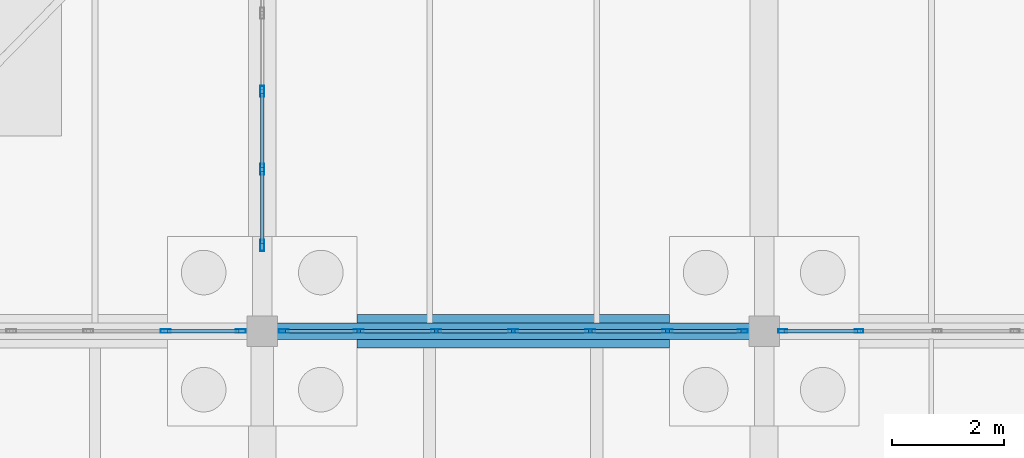
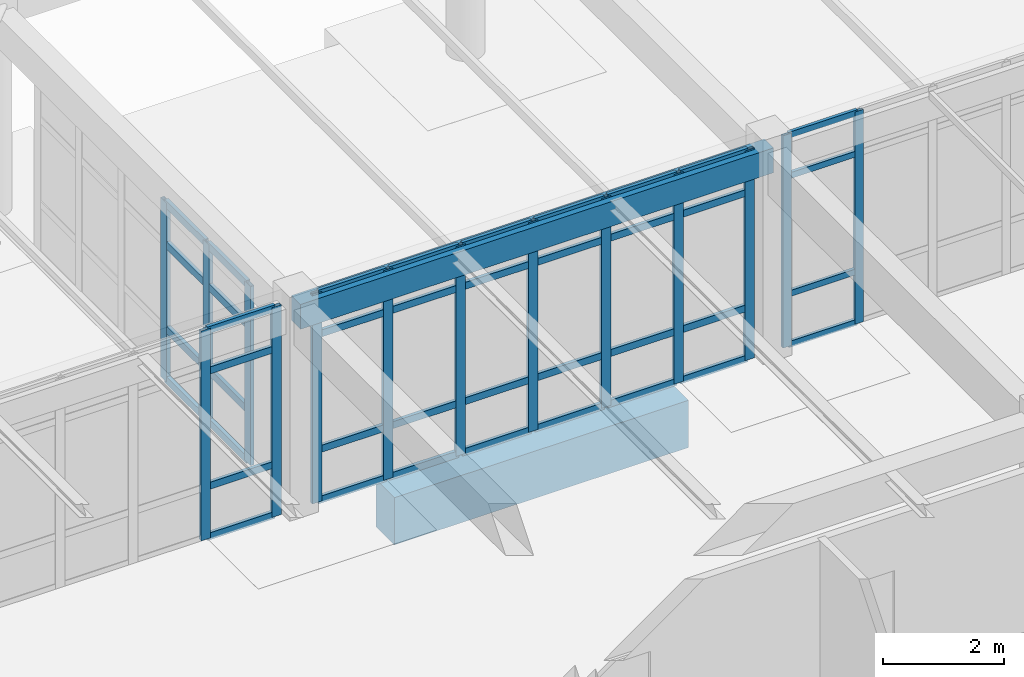
# One storey, part 67 of 186: 54 members, 2 beams, 4 elements without a shape of their own.
"""IFC4 building model written with IfcOpenShell, lengths in metres."""

from ifc_helpers import new_model, si_unit, direction, frame, origin, origin_2d, place, context, subcontext, project, spatial, rectangle, hollow_rectangle, extrude, material, layer, layer_set, material_profile, profile_set, type_object, element, aggregate, save


model = new_model("IFC4")

# Units and contexts
model_context = context("Model", 3, precision=1e-05, world=origin(), true_north=direction((0.0, 1.0)))
body_context = subcontext(model_context, "Body", "Model", "MODEL_VIEW")
ifc_project = project(units=[si_unit("LENGTHUNIT", "METRE"), si_unit("AREAUNIT", "SQUARE_METRE"), si_unit("VOLUMEUNIT", "CUBIC_METRE"), si_unit("PLANEANGLEUNIT", "RADIAN"), si_unit("MASSUNIT", "GRAM", prefix="KILO")], contexts=[model_context])

# Site, building, storey
site_placement = place(None, origin())
site = spatial("IfcSite", under=ifc_project, at=site_placement, CompositionType="ELEMENT")
building_placement = place(site_placement, origin())
building = spatial("IfcBuilding", under=site, at=building_placement, Name="Ornek Quay Market", CompositionType="ELEMENT")
storey_placement = place(building_placement, origin())
storey = spatial("IfcBuildingStorey", under=building, at=storey_placement, Name="L00", CompositionType="ELEMENT", Elevation=0.0)

# Beams
ifc_material_1 = material(Name="Concrete C35/45", Category="concrete")
ifc_material_profile_1 = material_profile(ifc_material_1, rectangle(XDim=0.60009765625, YDim=0.949951171875, at=origin_2d()), Name="RC 600x950", Category="concrete")
ifc_profile_set_1 = profile_set([ifc_material_profile_1], Name="Concrete C35/45")
beam_type_1 = type_object("IfcBeamType", Name="BM-GB-600x950", PredefinedType="BEAM", material=ifc_profile_set_1)
beam_1_placement = place(storey_placement, frame((19.699951171875, 110.0, -0.675048828125), z_axis=(1.0, 0.0, 0.0), x_axis=(0.0, 1.0, 0.0)))
element("IfcBeam", 1, at=beam_1_placement, inside=storey, type_object=beam_type_1, Name="Ground tie beam GB-044", PredefinedType="BEAM", context=body_context, shape_type="SweptSolid", body=[
    extrude(rectangle(XDim=0.60009765625, YDim=0.949951171875, at=origin_2d()), origin(), (0.0, 0.0, 1.0), 5.60009765625),
])
ifc_material_2 = material(Name="Concrete C40/50", Category="concrete")
ifc_material_profile_2 = material_profile(ifc_material_2, rectangle(XDim=0.300048828125, YDim=0.5, at=origin_2d()), Name="RC 300x500", Category="concrete")
ifc_profile_set_2 = profile_set([ifc_material_profile_2], Name="Concrete C40/50")
beam_type_2 = type_object("IfcBeamType", Name="BM-UMB-RIM-300x500", PredefinedType="SPANDREL", material=ifc_profile_set_2)
beam_2_placement = place(storey_placement, frame((18.0, 110.0, 3.93994140625), z_axis=(1.0, 0.0, 0.0), x_axis=(0.0, 1.0, 0.0)))
element("IfcBeam", 2, at=beam_2_placement, inside=storey, type_object=beam_type_2, Name="Primary beam B-UMR-003", PredefinedType="SPANDREL", context=body_context, shape_type="SweptSolid", body=[
    extrude(rectangle(XDim=0.300048828125, YDim=0.5, at=origin_2d()), origin(), (0.0, 0.0, 1.0), 9.0),
])

# Curtain wall, members
ifc_material_3 = material(Name="Anodised bronze aluminium and triple low-e glass", Category="aluminium")
ifc_layer_1 = layer(ifc_material_3, 0.179931640625, Name="Anodised bronze aluminium and triple low-e glass", Category="aluminium")
ifc_layer_set_1 = layer_set([ifc_layer_1], Name="Anodised bronze aluminium and triple low-e glass")
curtain_wall_type_1 = type_object("IfcCurtainWallType", Name="CW-CONC-MOD1500", PredefinedType="USERDEFINED", material=ifc_layer_set_1)
curtain_wall_1_placement = place(storey_placement, origin())
curtain_wall_1 = element("IfcCurtainWall", 3, at=curtain_wall_1_placement, inside=storey, type_object=curtain_wall_type_1, Name="Curtain wall CW-005", ObjectType="CURTAIN WALL", PredefinedType="USERDEFINED")
ifc_material_4 = material(Name="Anodised aluminium 6063-T6", Category="aluminium")
ifc_material_profile_3 = material_profile(ifc_material_4, hollow_rectangle(XDim=0.06005859375, YDim=0.159912109375, WallThickness=0.00390625, at=origin_2d()), Name="CW-MUL-60x160", Category="aluminium")
ifc_profile_set_3 = profile_set([ifc_material_profile_3], Name="Anodised aluminium 6063-T6")
member_type_1 = type_object("IfcMemberType", Name="CW-MUL-60x160", PredefinedType="MULLION", material=ifc_profile_set_3)
member_1_placement = place(storey_placement, frame((27.330078125, 110.0, 0.0), z_axis=(0.0, 0.0, 1.0), x_axis=(0.0, 1.0, 0.0)))
member_1 = element("IfcMember", 4, at=member_1_placement, type_object=member_type_1, Name="CW-005 mullion 1", PredefinedType="MULLION", context=body_context, shape_type="SweptSolid", body=[
    extrude(hollow_rectangle(XDim=0.06005859375, YDim=0.159912109375, WallThickness=0.00390625, at=origin_2d()), origin(), (0.0, 0.0, 1.0), 4.27001953125),
])
member_2_placement = place(storey_placement, frame((28.699951171875, 110.0, 0.0), z_axis=(0.0, 0.0, 1.0), x_axis=(0.0, 1.0, 0.0)))
member_2 = element("IfcMember", 5, at=member_2_placement, type_object=member_type_1, Name="CW-005 mullion 2", PredefinedType="MULLION", context=body_context, shape_type="SweptSolid", body=[
    extrude(hollow_rectangle(XDim=0.06005859375, YDim=0.159912109375, WallThickness=0.00390625, at=origin_2d()), origin(), (0.0, 0.0, 1.0), 4.27001953125),
])

curtain_wall_2_placement = place(storey_placement, origin())
curtain_wall_2 = element("IfcCurtainWall", 6, at=curtain_wall_2_placement, inside=storey, type_object=curtain_wall_type_1, Name="Curtain wall CW-001", ObjectType="CURTAIN WALL", PredefinedType="USERDEFINED")
ifc_material_profile_4 = material_profile(ifc_material_4, hollow_rectangle(XDim=0.06494140625, YDim=0.179931640625, WallThickness=0.00439453125, at=origin_2d()), Name="CW-MUL-65x180", Category="aluminium")
ifc_profile_set_4 = profile_set([ifc_material_profile_4], Name="Anodised aluminium 6063-T6")
member_type_2 = type_object("IfcMemberType", Name="CW-MUL-65x180", PredefinedType="MULLION", material=ifc_profile_set_4)
member_3_placement = place(storey_placement, frame((16.2666015625, 110.0, 0.0), z_axis=(0.0, 0.0, 1.0), x_axis=(0.0, 1.0, 0.0)))
member_3 = element("IfcMember", 7, at=member_3_placement, type_object=member_type_2, Name="CW-001 mullion 6", PredefinedType="MULLION", context=body_context, shape_type="SweptSolid", body=[
    extrude(hollow_rectangle(XDim=0.06494140625, YDim=0.179931640625, WallThickness=0.00439453125, at=origin_2d()), origin(), (0.0, 0.0, 1.0), 4.219970703125),
])
member_4_placement = place(storey_placement, frame((17.617431640625, 110.0, 0.0), z_axis=(0.0, 0.0, 1.0), x_axis=(0.0, 1.0, 0.0)))
member_4 = element("IfcMember", 8, at=member_4_placement, type_object=member_type_2, Name="CW-001 mullion 7", PredefinedType="MULLION", context=body_context, shape_type="SweptSolid", body=[
    extrude(hollow_rectangle(XDim=0.06494140625, YDim=0.179931640625, WallThickness=0.00439453125, at=origin_2d()), origin(), (0.0, 0.0, 1.0), 4.219970703125),
])

curtain_wall_3_placement = place(storey_placement, origin())
curtain_wall_3 = element("IfcCurtainWall", 9, at=curtain_wall_3_placement, inside=storey, type_object=curtain_wall_type_1, Name="Curtain wall CW-002", ObjectType="CURTAIN WALL", PredefinedType="USERDEFINED")
member_5_placement = place(storey_placement, frame((18.382568359375, 110.0, 0.0), z_axis=(0.0, 0.0, 1.0), x_axis=(0.0, 1.0, 0.0)))
member_5 = element("IfcMember", 10, at=member_5_placement, type_object=member_type_2, Name="CW-002 mullion 1", PredefinedType="MULLION", context=body_context, shape_type="SweptSolid", body=[
    extrude(hollow_rectangle(XDim=0.06494140625, YDim=0.179931640625, WallThickness=0.00439453125, at=origin_2d()), origin(), (0.0, 0.0, 1.0), 4.219970703125),
])
member_6_placement = place(storey_placement, frame((19.7333984375, 110.0, 0.0), z_axis=(0.0, 0.0, 1.0), x_axis=(0.0, 1.0, 0.0)))
member_6 = element("IfcMember", 11, at=member_6_placement, type_object=member_type_2, Name="CW-002 mullion 2", PredefinedType="MULLION", context=body_context, shape_type="SweptSolid", body=[
    extrude(hollow_rectangle(XDim=0.06494140625, YDim=0.179931640625, WallThickness=0.00439453125, at=origin_2d()), origin(), (0.0, 0.0, 1.0), 4.219970703125),
])
member_7_placement = place(storey_placement, frame((21.11669921875, 110.0, 0.0), z_axis=(0.0, 0.0, 1.0), x_axis=(0.0, 1.0, 0.0)))
member_7 = element("IfcMember", 12, at=member_7_placement, type_object=member_type_2, Name="CW-002 mullion 3", PredefinedType="MULLION", context=body_context, shape_type="SweptSolid", body=[
    extrude(hollow_rectangle(XDim=0.06494140625, YDim=0.179931640625, WallThickness=0.00439453125, at=origin_2d()), origin(), (0.0, 0.0, 1.0), 4.219970703125),
])
member_8_placement = place(storey_placement, frame((22.5, 110.0, 0.0), z_axis=(0.0, 0.0, 1.0), x_axis=(0.0, 1.0, 0.0)))
member_8 = element("IfcMember", 13, at=member_8_placement, type_object=member_type_2, Name="CW-002 mullion 4", PredefinedType="MULLION", context=body_context, shape_type="SweptSolid", body=[
    extrude(hollow_rectangle(XDim=0.06494140625, YDim=0.179931640625, WallThickness=0.00439453125, at=origin_2d()), origin(), (0.0, 0.0, 1.0), 4.219970703125),
])
member_9_placement = place(storey_placement, frame((23.88330078125, 110.0, 0.0), z_axis=(0.0, 0.0, 1.0), x_axis=(0.0, 1.0, 0.0)))
member_9 = element("IfcMember", 14, at=member_9_placement, type_object=member_type_2, Name="CW-002 mullion 5", PredefinedType="MULLION", context=body_context, shape_type="SweptSolid", body=[
    extrude(hollow_rectangle(XDim=0.06494140625, YDim=0.179931640625, WallThickness=0.00439453125, at=origin_2d()), origin(), (0.0, 0.0, 1.0), 4.219970703125),
])
member_10_placement = place(storey_placement, frame((25.2666015625, 110.0, 0.0), z_axis=(0.0, 0.0, 1.0), x_axis=(0.0, 1.0, 0.0)))
member_10 = element("IfcMember", 15, at=member_10_placement, type_object=member_type_2, Name="CW-002 mullion 6", PredefinedType="MULLION", context=body_context, shape_type="SweptSolid", body=[
    extrude(hollow_rectangle(XDim=0.06494140625, YDim=0.179931640625, WallThickness=0.00439453125, at=origin_2d()), origin(), (0.0, 0.0, 1.0), 4.219970703125),
])
member_11_placement = place(storey_placement, frame((26.617431640625, 110.0, 0.0), z_axis=(0.0, 0.0, 1.0), x_axis=(0.0, 1.0, 0.0)))
member_11 = element("IfcMember", 16, at=member_11_placement, type_object=member_type_2, Name="CW-002 mullion 7", PredefinedType="MULLION", context=body_context, shape_type="SweptSolid", body=[
    extrude(hollow_rectangle(XDim=0.06494140625, YDim=0.179931640625, WallThickness=0.00439453125, at=origin_2d()), origin(), (0.0, 0.0, 1.0), 4.219970703125),
])

ifc_layer_2 = layer(ifc_material_3, 0.219970703125, Name="Anodised bronze aluminium and triple low-e glass", Category="aluminium")
ifc_layer_set_2 = layer_set([ifc_layer_2], Name="Anodised bronze aluminium and triple low-e glass")
curtain_wall_type_2 = type_object("IfcCurtainWallType", Name="CW-PORCH-MOD1500", PredefinedType="USERDEFINED", material=ifc_layer_set_2)
curtain_wall_4_placement = place(storey_placement, origin())
curtain_wall_4 = element("IfcCurtainWall", 17, at=curtain_wall_4_placement, inside=storey, type_object=curtain_wall_type_2, Name="Curtain wall CW-148", ObjectType="CURTAIN WALL", PredefinedType="USERDEFINED")
ifc_material_profile_5 = material_profile(ifc_material_4, hollow_rectangle(XDim=0.070068359375, YDim=0.199951171875, WallThickness=0.0048828125, at=origin_2d()), Name="CW-MUL-70x200", Category="aluminium")
ifc_profile_set_5 = profile_set([ifc_material_profile_5], Name="Anodised aluminium 6063-T6")
member_type_3 = type_object("IfcMemberType", Name="CW-MUL-70x200", PredefinedType="MULLION", material=ifc_profile_set_5)
member_12_placement = place(storey_placement, frame((18.0, 111.534912109375, 0.0), z_axis=(0.0, 0.0, 1.0), x_axis=(-1.0, 0.0, 0.0)))
member_12 = element("IfcMember", 18, at=member_12_placement, type_object=member_type_3, Name="CW-148 mullion 1", PredefinedType="MULLION", context=body_context, shape_type="SweptSolid", body=[
    extrude(hollow_rectangle(XDim=0.070068359375, YDim=0.199951171875, WallThickness=0.0048828125, at=origin_2d()), origin(), (0.0, 0.0, 1.0), 3.60009765625),
])
member_13_placement = place(storey_placement, frame((18.0, 112.89990234375, 0.0), z_axis=(0.0, 0.0, 1.0), x_axis=(-1.0, 0.0, 0.0)))
member_13 = element("IfcMember", 19, at=member_13_placement, type_object=member_type_3, Name="CW-148 mullion 2", PredefinedType="MULLION", context=body_context, shape_type="SweptSolid", body=[
    extrude(hollow_rectangle(XDim=0.070068359375, YDim=0.199951171875, WallThickness=0.0048828125, at=origin_2d()), origin(), (0.0, 0.0, 1.0), 3.60009765625),
])
member_14_placement = place(storey_placement, frame((18.0, 114.300048828125, 0.0), z_axis=(0.0, 0.0, 1.0), x_axis=(-1.0, 0.0, 0.0)))
member_14 = element("IfcMember", 20, at=member_14_placement, type_object=member_type_3, Name="CW-148 mullion 3", PredefinedType="MULLION", context=body_context, shape_type="SweptSolid", body=[
    extrude(hollow_rectangle(XDim=0.070068359375, YDim=0.199951171875, WallThickness=0.0048828125, at=origin_2d()), origin(), (0.0, 0.0, 1.0), 3.60009765625),
])

# Member
ifc_material_profile_6 = material_profile(ifc_material_4, hollow_rectangle(XDim=0.06005859375, YDim=0.1201171875, WallThickness=0.00390625, at=origin_2d()), Name="CW-TRN-60x120", Category="aluminium")
ifc_profile_set_6 = profile_set([ifc_material_profile_6], Name="Anodised aluminium 6063-T6")
member_type_4 = type_object("IfcMemberType", Name="CW-TRN-60x120", PredefinedType="USERDEFINED", material=ifc_profile_set_6)
member_15_placement = place(storey_placement, frame((27.360107421875, 110.0, 0.030029296875), z_axis=(1.0, 0.0, 0.0), x_axis=(0.0, 1.0, 0.0)))
member_15 = element("IfcMember", 21, at=member_15_placement, type_object=member_type_4, Name="CW-005 transom 1.1", ObjectType="TRANSOM", PredefinedType="USERDEFINED", context=body_context, shape_type="SweptSolid", body=[
    extrude(hollow_rectangle(XDim=0.06005859375, YDim=0.1201171875, WallThickness=0.00390625, at=origin_2d()), origin(), (0.0, 0.0, 1.0), 1.309814453125),
])

member_16_placement = place(storey_placement, frame((27.360107421875, 110.0, 1.050048828125), z_axis=(1.0, 0.0, 0.0), x_axis=(0.0, 1.0, 0.0)))
member_16 = element("IfcMember", 22, at=member_16_placement, type_object=member_type_4, Name="CW-005 transom 1.2", ObjectType="TRANSOM", PredefinedType="USERDEFINED", context=body_context, shape_type="SweptSolid", body=[
    extrude(hollow_rectangle(XDim=0.06005859375, YDim=0.1201171875, WallThickness=0.00390625, at=origin_2d()), origin(), (0.0, 0.0, 1.0), 1.309814453125),
])

member_17_placement = place(storey_placement, frame((27.360107421875, 110.0, 3.419921875), z_axis=(1.0, 0.0, 0.0), x_axis=(0.0, 1.0, 0.0)))
member_17 = element("IfcMember", 23, at=member_17_placement, type_object=member_type_4, Name="CW-005 transom 1.3", ObjectType="TRANSOM", PredefinedType="USERDEFINED", context=body_context, shape_type="SweptSolid", body=[
    extrude(hollow_rectangle(XDim=0.06005859375, YDim=0.1201171875, WallThickness=0.00390625, at=origin_2d()), origin(), (0.0, 0.0, 1.0), 1.309814453125),
])

member_18_placement = place(storey_placement, frame((27.360107421875, 110.0, 4.239990234375), z_axis=(1.0, 0.0, 0.0), x_axis=(0.0, 1.0, 0.0)))
member_18 = element("IfcMember", 24, at=member_18_placement, type_object=member_type_4, Name="CW-005 transom 1.4", ObjectType="TRANSOM", PredefinedType="USERDEFINED", context=body_context, shape_type="SweptSolid", body=[
    extrude(hollow_rectangle(XDim=0.06005859375, YDim=0.1201171875, WallThickness=0.00390625, at=origin_2d()), origin(), (0.0, 0.0, 1.0), 1.309814453125),
])

aggregate(curtain_wall_1, [member_1, member_2, member_15, member_16, member_17, member_18])

ifc_material_profile_7 = material_profile(ifc_material_4, hollow_rectangle(XDim=0.06494140625, YDim=0.139892578125, WallThickness=0.00439453125, at=origin_2d()), Name="CW-TRN-65x140", Category="aluminium")
ifc_profile_set_7 = profile_set([ifc_material_profile_7], Name="Anodised aluminium 6063-T6")
member_type_5 = type_object("IfcMemberType", Name="CW-TRN-65x140", PredefinedType="USERDEFINED", material=ifc_profile_set_7)
member_19_placement = place(storey_placement, frame((16.299072265625, 110.0, 0.032470703125), z_axis=(1.0, 0.0, 0.0), x_axis=(0.0, 1.0, 0.0)))
member_19 = element("IfcMember", 25, at=member_19_placement, type_object=member_type_5, Name="CW-001 transom 6.1", ObjectType="TRANSOM", PredefinedType="USERDEFINED", context=body_context, shape_type="SweptSolid", body=[
    extrude(hollow_rectangle(XDim=0.06494140625, YDim=0.139892578125, WallThickness=0.00439453125, at=origin_2d()), origin(), (0.0, 0.0, 1.0), 1.285888671875),
])

member_20_placement = place(storey_placement, frame((16.299072265625, 110.0, 1.050048828125), z_axis=(1.0, 0.0, 0.0), x_axis=(0.0, 1.0, 0.0)))
member_20 = element("IfcMember", 26, at=member_20_placement, type_object=member_type_5, Name="CW-001 transom 6.2", ObjectType="TRANSOM", PredefinedType="USERDEFINED", context=body_context, shape_type="SweptSolid", body=[
    extrude(hollow_rectangle(XDim=0.06494140625, YDim=0.139892578125, WallThickness=0.00439453125, at=origin_2d()), origin(), (0.0, 0.0, 1.0), 1.285888671875),
])

member_21_placement = place(storey_placement, frame((16.299072265625, 110.0, 3.3701171875), z_axis=(1.0, 0.0, 0.0), x_axis=(0.0, 1.0, 0.0)))
member_21 = element("IfcMember", 27, at=member_21_placement, type_object=member_type_5, Name="CW-001 transom 6.3", ObjectType="TRANSOM", PredefinedType="USERDEFINED", context=body_context, shape_type="SweptSolid", body=[
    extrude(hollow_rectangle(XDim=0.06494140625, YDim=0.139892578125, WallThickness=0.00439453125, at=origin_2d()), origin(), (0.0, 0.0, 1.0), 1.285888671875),
])

member_22_placement = place(storey_placement, frame((16.299072265625, 110.0, 4.1875), z_axis=(1.0, 0.0, 0.0), x_axis=(0.0, 1.0, 0.0)))
member_22 = element("IfcMember", 28, at=member_22_placement, type_object=member_type_5, Name="CW-001 transom 6.4", ObjectType="TRANSOM", PredefinedType="USERDEFINED", context=body_context, shape_type="SweptSolid", body=[
    extrude(hollow_rectangle(XDim=0.06494140625, YDim=0.139892578125, WallThickness=0.00439453125, at=origin_2d()), origin(), (0.0, 0.0, 1.0), 1.285888671875),
])

aggregate(curtain_wall_2, [member_3, member_4, member_19, member_20, member_21, member_22])

member_23_placement = place(storey_placement, frame((18.4150390625, 110.0, 0.032470703125), z_axis=(1.0, 0.0, 0.0), x_axis=(0.0, 1.0, 0.0)))
member_23 = element("IfcMember", 29, at=member_23_placement, type_object=member_type_5, Name="CW-002 transom 1.1", ObjectType="TRANSOM", PredefinedType="USERDEFINED", context=body_context, shape_type="SweptSolid", body=[
    extrude(hollow_rectangle(XDim=0.06494140625, YDim=0.139892578125, WallThickness=0.00439453125, at=origin_2d()), origin(), (0.0, 0.0, 1.0), 1.285888671875),
])

member_24_placement = place(storey_placement, frame((18.4150390625, 110.0, 1.050048828125), z_axis=(1.0, 0.0, 0.0), x_axis=(0.0, 1.0, 0.0)))
member_24 = element("IfcMember", 30, at=member_24_placement, type_object=member_type_5, Name="CW-002 transom 1.2", ObjectType="TRANSOM", PredefinedType="USERDEFINED", context=body_context, shape_type="SweptSolid", body=[
    extrude(hollow_rectangle(XDim=0.06494140625, YDim=0.139892578125, WallThickness=0.00439453125, at=origin_2d()), origin(), (0.0, 0.0, 1.0), 1.285888671875),
])

member_25_placement = place(storey_placement, frame((18.4150390625, 110.0, 3.3701171875), z_axis=(1.0, 0.0, 0.0), x_axis=(0.0, 1.0, 0.0)))
member_25 = element("IfcMember", 31, at=member_25_placement, type_object=member_type_5, Name="CW-002 transom 1.3", ObjectType="TRANSOM", PredefinedType="USERDEFINED", context=body_context, shape_type="SweptSolid", body=[
    extrude(hollow_rectangle(XDim=0.06494140625, YDim=0.139892578125, WallThickness=0.00439453125, at=origin_2d()), origin(), (0.0, 0.0, 1.0), 1.285888671875),
])

member_26_placement = place(storey_placement, frame((18.4150390625, 110.0, 4.1875), z_axis=(1.0, 0.0, 0.0), x_axis=(0.0, 1.0, 0.0)))
member_26 = element("IfcMember", 32, at=member_26_placement, type_object=member_type_5, Name="CW-002 transom 1.4", ObjectType="TRANSOM", PredefinedType="USERDEFINED", context=body_context, shape_type="SweptSolid", body=[
    extrude(hollow_rectangle(XDim=0.06494140625, YDim=0.139892578125, WallThickness=0.00439453125, at=origin_2d()), origin(), (0.0, 0.0, 1.0), 1.285888671875),
])

member_27_placement = place(storey_placement, frame((19.765869140625, 110.0, 0.032470703125), z_axis=(1.0, 0.0, 0.0), x_axis=(0.0, 1.0, 0.0)))
member_27 = element("IfcMember", 33, at=member_27_placement, type_object=member_type_5, Name="CW-002 transom 2.1", ObjectType="TRANSOM", PredefinedType="USERDEFINED", context=body_context, shape_type="SweptSolid", body=[
    extrude(hollow_rectangle(XDim=0.06494140625, YDim=0.139892578125, WallThickness=0.00439453125, at=origin_2d()), origin(), (0.0, 0.0, 1.0), 1.318359375),
])

member_28_placement = place(storey_placement, frame((19.765869140625, 110.0, 1.050048828125), z_axis=(1.0, 0.0, 0.0), x_axis=(0.0, 1.0, 0.0)))
member_28 = element("IfcMember", 34, at=member_28_placement, type_object=member_type_5, Name="CW-002 transom 2.2", ObjectType="TRANSOM", PredefinedType="USERDEFINED", context=body_context, shape_type="SweptSolid", body=[
    extrude(hollow_rectangle(XDim=0.06494140625, YDim=0.139892578125, WallThickness=0.00439453125, at=origin_2d()), origin(), (0.0, 0.0, 1.0), 1.318359375),
])

member_29_placement = place(storey_placement, frame((19.765869140625, 110.0, 3.3701171875), z_axis=(1.0, 0.0, 0.0), x_axis=(0.0, 1.0, 0.0)))
member_29 = element("IfcMember", 35, at=member_29_placement, type_object=member_type_5, Name="CW-002 transom 2.3", ObjectType="TRANSOM", PredefinedType="USERDEFINED", context=body_context, shape_type="SweptSolid", body=[
    extrude(hollow_rectangle(XDim=0.06494140625, YDim=0.139892578125, WallThickness=0.00439453125, at=origin_2d()), origin(), (0.0, 0.0, 1.0), 1.318359375),
])

member_30_placement = place(storey_placement, frame((19.765869140625, 110.0, 4.1875), z_axis=(1.0, 0.0, 0.0), x_axis=(0.0, 1.0, 0.0)))
member_30 = element("IfcMember", 36, at=member_30_placement, type_object=member_type_5, Name="CW-002 transom 2.4", ObjectType="TRANSOM", PredefinedType="USERDEFINED", context=body_context, shape_type="SweptSolid", body=[
    extrude(hollow_rectangle(XDim=0.06494140625, YDim=0.139892578125, WallThickness=0.00439453125, at=origin_2d()), origin(), (0.0, 0.0, 1.0), 1.318359375),
])

member_31_placement = place(storey_placement, frame((21.149169921875, 110.0, 0.032470703125), z_axis=(1.0, 0.0, 0.0), x_axis=(0.0, 1.0, 0.0)))
member_31 = element("IfcMember", 37, at=member_31_placement, type_object=member_type_5, Name="CW-002 transom 3.1", ObjectType="TRANSOM", PredefinedType="USERDEFINED", context=body_context, shape_type="SweptSolid", body=[
    extrude(hollow_rectangle(XDim=0.06494140625, YDim=0.139892578125, WallThickness=0.00439453125, at=origin_2d()), origin(), (0.0, 0.0, 1.0), 1.318359375),
])

member_32_placement = place(storey_placement, frame((21.149169921875, 110.0, 1.050048828125), z_axis=(1.0, 0.0, 0.0), x_axis=(0.0, 1.0, 0.0)))
member_32 = element("IfcMember", 38, at=member_32_placement, type_object=member_type_5, Name="CW-002 transom 3.2", ObjectType="TRANSOM", PredefinedType="USERDEFINED", context=body_context, shape_type="SweptSolid", body=[
    extrude(hollow_rectangle(XDim=0.06494140625, YDim=0.139892578125, WallThickness=0.00439453125, at=origin_2d()), origin(), (0.0, 0.0, 1.0), 1.318359375),
])

member_33_placement = place(storey_placement, frame((21.149169921875, 110.0, 3.3701171875), z_axis=(1.0, 0.0, 0.0), x_axis=(0.0, 1.0, 0.0)))
member_33 = element("IfcMember", 39, at=member_33_placement, type_object=member_type_5, Name="CW-002 transom 3.3", ObjectType="TRANSOM", PredefinedType="USERDEFINED", context=body_context, shape_type="SweptSolid", body=[
    extrude(hollow_rectangle(XDim=0.06494140625, YDim=0.139892578125, WallThickness=0.00439453125, at=origin_2d()), origin(), (0.0, 0.0, 1.0), 1.318359375),
])

member_34_placement = place(storey_placement, frame((21.149169921875, 110.0, 4.1875), z_axis=(1.0, 0.0, 0.0), x_axis=(0.0, 1.0, 0.0)))
member_34 = element("IfcMember", 40, at=member_34_placement, type_object=member_type_5, Name="CW-002 transom 3.4", ObjectType="TRANSOM", PredefinedType="USERDEFINED", context=body_context, shape_type="SweptSolid", body=[
    extrude(hollow_rectangle(XDim=0.06494140625, YDim=0.139892578125, WallThickness=0.00439453125, at=origin_2d()), origin(), (0.0, 0.0, 1.0), 1.318359375),
])

member_35_placement = place(storey_placement, frame((22.532470703125, 110.0, 0.032470703125), z_axis=(1.0, 0.0, 0.0), x_axis=(0.0, 1.0, 0.0)))
member_35 = element("IfcMember", 41, at=member_35_placement, type_object=member_type_5, Name="CW-002 transom 4.1", ObjectType="TRANSOM", PredefinedType="USERDEFINED", context=body_context, shape_type="SweptSolid", body=[
    extrude(hollow_rectangle(XDim=0.06494140625, YDim=0.139892578125, WallThickness=0.00439453125, at=origin_2d()), origin(), (0.0, 0.0, 1.0), 1.318359375),
])

member_36_placement = place(storey_placement, frame((22.532470703125, 110.0, 1.050048828125), z_axis=(1.0, 0.0, 0.0), x_axis=(0.0, 1.0, 0.0)))
member_36 = element("IfcMember", 42, at=member_36_placement, type_object=member_type_5, Name="CW-002 transom 4.2", ObjectType="TRANSOM", PredefinedType="USERDEFINED", context=body_context, shape_type="SweptSolid", body=[
    extrude(hollow_rectangle(XDim=0.06494140625, YDim=0.139892578125, WallThickness=0.00439453125, at=origin_2d()), origin(), (0.0, 0.0, 1.0), 1.318359375),
])

member_37_placement = place(storey_placement, frame((22.532470703125, 110.0, 3.3701171875), z_axis=(1.0, 0.0, 0.0), x_axis=(0.0, 1.0, 0.0)))
member_37 = element("IfcMember", 43, at=member_37_placement, type_object=member_type_5, Name="CW-002 transom 4.3", ObjectType="TRANSOM", PredefinedType="USERDEFINED", context=body_context, shape_type="SweptSolid", body=[
    extrude(hollow_rectangle(XDim=0.06494140625, YDim=0.139892578125, WallThickness=0.00439453125, at=origin_2d()), origin(), (0.0, 0.0, 1.0), 1.318359375),
])

member_38_placement = place(storey_placement, frame((22.532470703125, 110.0, 4.1875), z_axis=(1.0, 0.0, 0.0), x_axis=(0.0, 1.0, 0.0)))
member_38 = element("IfcMember", 44, at=member_38_placement, type_object=member_type_5, Name="CW-002 transom 4.4", ObjectType="TRANSOM", PredefinedType="USERDEFINED", context=body_context, shape_type="SweptSolid", body=[
    extrude(hollow_rectangle(XDim=0.06494140625, YDim=0.139892578125, WallThickness=0.00439453125, at=origin_2d()), origin(), (0.0, 0.0, 1.0), 1.318359375),
])

member_39_placement = place(storey_placement, frame((23.915771484375, 110.0, 0.032470703125), z_axis=(1.0, 0.0, 0.0), x_axis=(0.0, 1.0, 0.0)))
member_39 = element("IfcMember", 45, at=member_39_placement, type_object=member_type_5, Name="CW-002 transom 5.1", ObjectType="TRANSOM", PredefinedType="USERDEFINED", context=body_context, shape_type="SweptSolid", body=[
    extrude(hollow_rectangle(XDim=0.06494140625, YDim=0.139892578125, WallThickness=0.00439453125, at=origin_2d()), origin(), (0.0, 0.0, 1.0), 1.318359375),
])

member_40_placement = place(storey_placement, frame((23.915771484375, 110.0, 1.050048828125), z_axis=(1.0, 0.0, 0.0), x_axis=(0.0, 1.0, 0.0)))
member_40 = element("IfcMember", 46, at=member_40_placement, type_object=member_type_5, Name="CW-002 transom 5.2", ObjectType="TRANSOM", PredefinedType="USERDEFINED", context=body_context, shape_type="SweptSolid", body=[
    extrude(hollow_rectangle(XDim=0.06494140625, YDim=0.139892578125, WallThickness=0.00439453125, at=origin_2d()), origin(), (0.0, 0.0, 1.0), 1.318359375),
])

member_41_placement = place(storey_placement, frame((23.915771484375, 110.0, 3.3701171875), z_axis=(1.0, 0.0, 0.0), x_axis=(0.0, 1.0, 0.0)))
member_41 = element("IfcMember", 47, at=member_41_placement, type_object=member_type_5, Name="CW-002 transom 5.3", ObjectType="TRANSOM", PredefinedType="USERDEFINED", context=body_context, shape_type="SweptSolid", body=[
    extrude(hollow_rectangle(XDim=0.06494140625, YDim=0.139892578125, WallThickness=0.00439453125, at=origin_2d()), origin(), (0.0, 0.0, 1.0), 1.318359375),
])

member_42_placement = place(storey_placement, frame((23.915771484375, 110.0, 4.1875), z_axis=(1.0, 0.0, 0.0), x_axis=(0.0, 1.0, 0.0)))
member_42 = element("IfcMember", 48, at=member_42_placement, type_object=member_type_5, Name="CW-002 transom 5.4", ObjectType="TRANSOM", PredefinedType="USERDEFINED", context=body_context, shape_type="SweptSolid", body=[
    extrude(hollow_rectangle(XDim=0.06494140625, YDim=0.139892578125, WallThickness=0.00439453125, at=origin_2d()), origin(), (0.0, 0.0, 1.0), 1.318359375),
])

member_43_placement = place(storey_placement, frame((25.299072265625, 110.0, 0.032470703125), z_axis=(1.0, 0.0, 0.0), x_axis=(0.0, 1.0, 0.0)))
member_43 = element("IfcMember", 49, at=member_43_placement, type_object=member_type_5, Name="CW-002 transom 6.1", ObjectType="TRANSOM", PredefinedType="USERDEFINED", context=body_context, shape_type="SweptSolid", body=[
    extrude(hollow_rectangle(XDim=0.06494140625, YDim=0.139892578125, WallThickness=0.00439453125, at=origin_2d()), origin(), (0.0, 0.0, 1.0), 1.285888671875),
])

member_44_placement = place(storey_placement, frame((25.299072265625, 110.0, 1.050048828125), z_axis=(1.0, 0.0, 0.0), x_axis=(0.0, 1.0, 0.0)))
member_44 = element("IfcMember", 50, at=member_44_placement, type_object=member_type_5, Name="CW-002 transom 6.2", ObjectType="TRANSOM", PredefinedType="USERDEFINED", context=body_context, shape_type="SweptSolid", body=[
    extrude(hollow_rectangle(XDim=0.06494140625, YDim=0.139892578125, WallThickness=0.00439453125, at=origin_2d()), origin(), (0.0, 0.0, 1.0), 1.285888671875),
])

member_45_placement = place(storey_placement, frame((25.299072265625, 110.0, 3.3701171875), z_axis=(1.0, 0.0, 0.0), x_axis=(0.0, 1.0, 0.0)))
member_45 = element("IfcMember", 51, at=member_45_placement, type_object=member_type_5, Name="CW-002 transom 6.3", ObjectType="TRANSOM", PredefinedType="USERDEFINED", context=body_context, shape_type="SweptSolid", body=[
    extrude(hollow_rectangle(XDim=0.06494140625, YDim=0.139892578125, WallThickness=0.00439453125, at=origin_2d()), origin(), (0.0, 0.0, 1.0), 1.285888671875),
])

member_46_placement = place(storey_placement, frame((25.299072265625, 110.0, 4.1875), z_axis=(1.0, 0.0, 0.0), x_axis=(0.0, 1.0, 0.0)))
member_46 = element("IfcMember", 52, at=member_46_placement, type_object=member_type_5, Name="CW-002 transom 6.4", ObjectType="TRANSOM", PredefinedType="USERDEFINED", context=body_context, shape_type="SweptSolid", body=[
    extrude(hollow_rectangle(XDim=0.06494140625, YDim=0.139892578125, WallThickness=0.00439453125, at=origin_2d()), origin(), (0.0, 0.0, 1.0), 1.285888671875),
])

aggregate(curtain_wall_3, [member_5, member_6, member_7, member_8, member_9, member_10, member_11, member_23, member_24, member_25, member_26, member_27, member_28, member_29, member_30, member_31, member_32, member_33, member_34, member_35, member_36, member_37, member_38, member_39, member_40, member_41, member_42, member_43, member_44, member_45, member_46])

ifc_material_profile_8 = material_profile(ifc_material_4, hollow_rectangle(XDim=0.070068359375, YDim=0.14990234375, WallThickness=0.0048828125, at=origin_2d()), Name="CW-TRN-70x150", Category="aluminium")
ifc_profile_set_8 = profile_set([ifc_material_profile_8], Name="Anodised aluminium 6063-T6")
member_type_6 = type_object("IfcMemberType", Name="CW-TRN-70x150", PredefinedType="USERDEFINED", material=ifc_profile_set_8)
member_47_placement = place(storey_placement, frame((18.0, 111.570068359375, 0.034912109375), z_axis=(0.0, 1.0, 0.0), x_axis=(-1.0, 0.0, 0.0)))
member_47 = element("IfcMember", 53, at=member_47_placement, type_object=member_type_6, Name="CW-148 transom 1.1", ObjectType="TRANSOM", PredefinedType="USERDEFINED", context=body_context, shape_type="SweptSolid", body=[
    extrude(hollow_rectangle(XDim=0.070068359375, YDim=0.14990234375, WallThickness=0.0048828125, at=origin_2d()), origin(), (0.0, 0.0, 1.0), 1.294921875),
])

member_48_placement = place(storey_placement, frame((18.0, 111.570068359375, 1.050048828125), z_axis=(0.0, 1.0, 0.0), x_axis=(-1.0, 0.0, 0.0)))
member_48 = element("IfcMember", 54, at=member_48_placement, type_object=member_type_6, Name="CW-148 transom 1.2", ObjectType="TRANSOM", PredefinedType="USERDEFINED", context=body_context, shape_type="SweptSolid", body=[
    extrude(hollow_rectangle(XDim=0.070068359375, YDim=0.14990234375, WallThickness=0.0048828125, at=origin_2d()), origin(), (0.0, 0.0, 1.0), 1.294921875),
])

member_49_placement = place(storey_placement, frame((18.0, 111.570068359375, 2.75), z_axis=(0.0, 1.0, 0.0), x_axis=(-1.0, 0.0, 0.0)))
member_49 = element("IfcMember", 55, at=member_49_placement, type_object=member_type_6, Name="CW-148 transom 1.3", ObjectType="TRANSOM", PredefinedType="USERDEFINED", context=body_context, shape_type="SweptSolid", body=[
    extrude(hollow_rectangle(XDim=0.070068359375, YDim=0.14990234375, WallThickness=0.0048828125, at=origin_2d()), origin(), (0.0, 0.0, 1.0), 1.294921875),
])

member_50_placement = place(storey_placement, frame((18.0, 111.570068359375, 3.56494140625), z_axis=(0.0, 1.0, 0.0), x_axis=(-1.0, 0.0, 0.0)))
member_50 = element("IfcMember", 56, at=member_50_placement, type_object=member_type_6, Name="CW-148 transom 1.4", ObjectType="TRANSOM", PredefinedType="USERDEFINED", context=body_context, shape_type="SweptSolid", body=[
    extrude(hollow_rectangle(XDim=0.070068359375, YDim=0.14990234375, WallThickness=0.0048828125, at=origin_2d()), origin(), (0.0, 0.0, 1.0), 1.294921875),
])

member_51_placement = place(storey_placement, frame((18.0, 112.93505859375, 0.034912109375), z_axis=(0.0, 1.0, 0.0), x_axis=(-1.0, 0.0, 0.0)))
member_51 = element("IfcMember", 57, at=member_51_placement, type_object=member_type_6, Name="CW-148 transom 2.1", ObjectType="TRANSOM", PredefinedType="USERDEFINED", context=body_context, shape_type="SweptSolid", body=[
    extrude(hollow_rectangle(XDim=0.070068359375, YDim=0.14990234375, WallThickness=0.0048828125, at=origin_2d()), origin(), (0.0, 0.0, 1.0), 1.329833984375),
])

member_52_placement = place(storey_placement, frame((18.0, 112.93505859375, 1.050048828125), z_axis=(0.0, 1.0, 0.0), x_axis=(-1.0, 0.0, 0.0)))
member_52 = element("IfcMember", 58, at=member_52_placement, type_object=member_type_6, Name="CW-148 transom 2.2", ObjectType="TRANSOM", PredefinedType="USERDEFINED", context=body_context, shape_type="SweptSolid", body=[
    extrude(hollow_rectangle(XDim=0.070068359375, YDim=0.14990234375, WallThickness=0.0048828125, at=origin_2d()), origin(), (0.0, 0.0, 1.0), 1.329833984375),
])

member_53_placement = place(storey_placement, frame((18.0, 112.93505859375, 2.75), z_axis=(0.0, 1.0, 0.0), x_axis=(-1.0, 0.0, 0.0)))
member_53 = element("IfcMember", 59, at=member_53_placement, type_object=member_type_6, Name="CW-148 transom 2.3", ObjectType="TRANSOM", PredefinedType="USERDEFINED", context=body_context, shape_type="SweptSolid", body=[
    extrude(hollow_rectangle(XDim=0.070068359375, YDim=0.14990234375, WallThickness=0.0048828125, at=origin_2d()), origin(), (0.0, 0.0, 1.0), 1.329833984375),
])

member_54_placement = place(storey_placement, frame((18.0, 112.93505859375, 3.56494140625), z_axis=(0.0, 1.0, 0.0), x_axis=(-1.0, 0.0, 0.0)))
member_54 = element("IfcMember", 60, at=member_54_placement, type_object=member_type_6, Name="CW-148 transom 2.4", ObjectType="TRANSOM", PredefinedType="USERDEFINED", context=body_context, shape_type="SweptSolid", body=[
    extrude(hollow_rectangle(XDim=0.070068359375, YDim=0.14990234375, WallThickness=0.0048828125, at=origin_2d()), origin(), (0.0, 0.0, 1.0), 1.329833984375),
])

aggregate(curtain_wall_4, [member_12, member_13, member_14, member_47, member_48, member_49, member_50, member_51, member_52, member_53, member_54])

save(model, "model.ifc")
